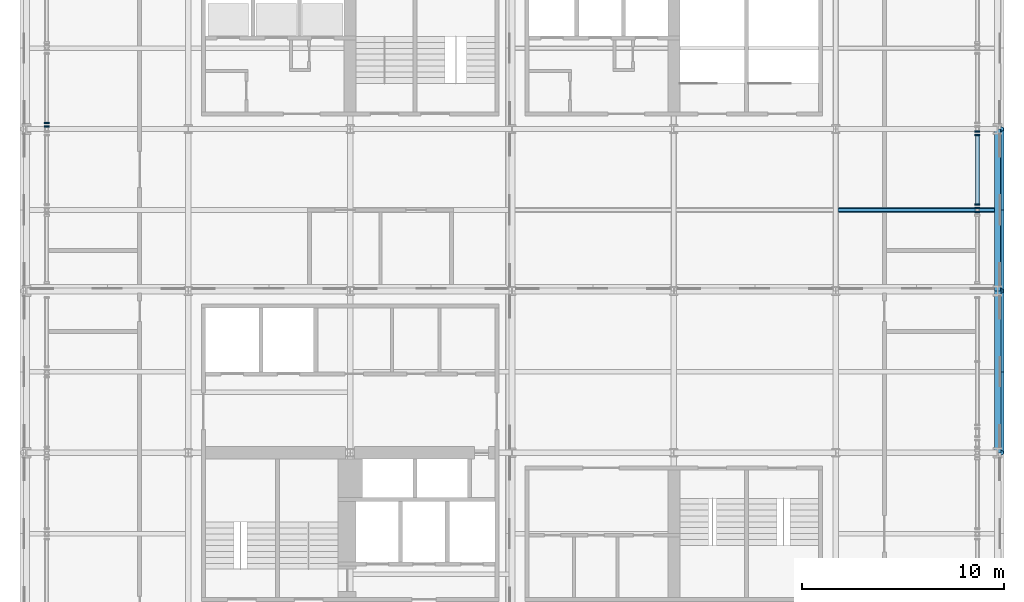
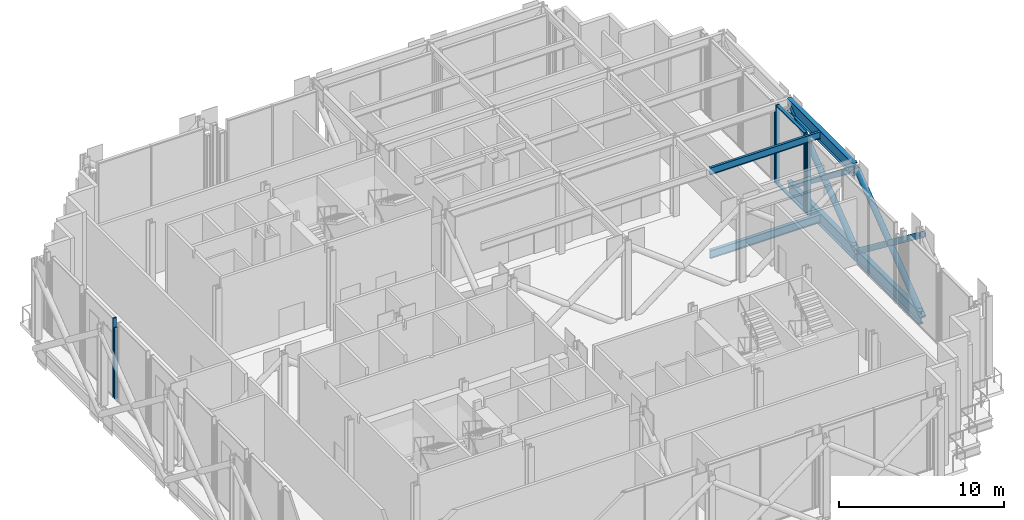
# One storey, part 5 of 25: 13 members, 5 beams, 5 elements without a shape of their own.
"""IFC4 building model written with IfcOpenShell, lengths in metres."""

from ifc_helpers import new_model, si_unit, direction, frame, origin, origin_2d, place, context, subcontext, project, spatial, rectangle, hollow_circle, i_section, extrude, material, material_profile, profile_set, type_object, element, aggregate, save


model = new_model("IFC4")

# Units and contexts
model_context = context("Model", 3, precision=1e-05, world=origin(), true_north=direction((0.0, 1.0)))
body_context = subcontext(model_context, "Body", "Model", "MODEL_VIEW")
ifc_project = project(units=[si_unit("LENGTHUNIT", "METRE"), si_unit("AREAUNIT", "SQUARE_METRE"), si_unit("VOLUMEUNIT", "CUBIC_METRE"), si_unit("PLANEANGLEUNIT", "RADIAN"), si_unit("MASSUNIT", "GRAM", prefix="KILO")], contexts=[model_context])

# Site, building, storey
site_placement = place(None, origin())
site = spatial("IfcSite", under=ifc_project, at=site_placement, CompositionType="ELEMENT")
building_placement = place(site_placement, origin())
building = spatial("IfcBuilding", under=site, at=building_placement, Name="Immortelle Media Tower", CompositionType="ELEMENT")
storey_placement = place(building_placement, frame((0.0, 0.0, 114.0)))
storey = spatial("IfcBuildingStorey", under=building, at=storey_placement, Name="L22", CompositionType="ELEMENT", Elevation=114.0)

# Members
ifc_material_1 = material(Name="Steel ASTM A500 Gr C", Category="steel")
ifc_material_profile_1 = material_profile(ifc_material_1, hollow_circle(Radius=0.202880859375, WallThickness=0.011962890625, at=origin_2d()), Name="HSS16.000x0.500 truss diagonal")
ifc_profile_set_1 = profile_set([ifc_material_profile_1], Name="Steel ASTM A500 Gr C")
member_type_1 = type_object("IfcMemberType", Name="HSS16.000x0.500 truss diagonal", PredefinedType="BRACE", material=ifc_profile_set_1)
for number, where, z_axis, x_axis, name in (
    (1, (48.113037109375, 16.0, -0.72509765625), (0.0, 0.794648909693, 0.607069279674), (-1.0, 0.0, 0.0), "Belt truss 7/C-D A"),
    (2, (48.113037109375, 16.0, 5.386474609375), (0.0, 0.794648909693, -0.607069279674), (-1.0, 0.0, 0.0), "Belt truss 7/C-D B"),
    (3, (48.113037109375, 24.0, -0.72509765625), (0.0, 0.794648909693, 0.607069279674), (-1.0, 0.0, 0.0), "Belt truss 7/D-E A"),
    (4, (48.113037109375, 24.0, 5.386474609375), (0.0, 0.794648909693, -0.607069279674), (-1.0, 0.0, 0.0), "Belt truss 7/D-E B"),
):
    element("IfcMember", number, at=place(storey_placement, frame(where, z_axis=z_axis, x_axis=x_axis)), inside=storey, type_object=member_type_1, Name=name, PredefinedType="BRACE", context=body_context, shape_type="SweptSolid", body=[
        extrude(hollow_circle(Radius=0.202880859375, WallThickness=0.011962890625, at=origin_2d()), origin(), (0.0, 0.0, 1.0), 10.0673828125),
    ])

# Curtain wall, members
ifc_material_2 = material(Name="Aluminium curtain wall system", Category="aluminium")
curtain_wall_type = type_object("IfcCurtainWallType", Name="Plant louvre wall curtain wall", PredefinedType="NOTDEFINED", material=ifc_material_2)
curtain_wall_1_placement = place(storey_placement, origin())
curtain_wall_1 = element("IfcCurtainWall", 5, at=curtain_wall_1_placement, inside=storey, type_object=curtain_wall_type, Name="Plant louvre wall L22 E 14-12", PredefinedType="NOTDEFINED")
ifc_material_3 = material(Name="Aluminium 6063-T6", Category="aluminium")
ifc_material_profile_2 = material_profile(ifc_material_3, rectangle(XDim=0.25, YDim=0.080078125, at=origin_2d()), Name="AL 80x250")
ifc_profile_set_2 = profile_set([ifc_material_profile_2], Name="Aluminium 6063-T6")
member_type_2 = type_object("IfcMemberType", Name="Plant louvre wall mullion 80 x 250", PredefinedType="MULLION", material=ifc_profile_set_2)
member_1_placement = place(storey_placement, frame((47.0, 27.907470703125, 0.0), z_axis=(0.0, 0.0, 1.0), x_axis=(-1.0, 0.0, 0.0)))
member_1 = element("IfcMember", 6, at=member_1_placement, type_object=member_type_2, Name="CW6 mullion 1", PredefinedType="MULLION", context=body_context, shape_type="SweptSolid", body=[
    extrude(rectangle(XDim=0.25, YDim=0.080078125, at=origin_2d()), origin(), (0.0, 0.0, 1.0), 5.323486328125),
])
member_2_placement = place(storey_placement, frame((47.0, 28.092529296875, 0.0), z_axis=(0.0, 0.0, 1.0), x_axis=(-1.0, 0.0, 0.0)))
member_2 = element("IfcMember", 7, at=member_2_placement, type_object=member_type_2, Name="CW6 mullion 2", PredefinedType="MULLION", context=body_context, shape_type="SweptSolid", body=[
    extrude(rectangle(XDim=0.25, YDim=0.080078125, at=origin_2d()), origin(), (0.0, 0.0, 1.0), 5.323486328125),
])
aggregate(curtain_wall_1, [member_1, member_2])

curtain_wall_2_placement = place(storey_placement, origin())
curtain_wall_2 = element("IfcCurtainWall", 8, at=curtain_wall_2_placement, inside=storey, type_object=curtain_wall_type, Name="Plant louvre wall L22 E 14-13", PredefinedType="NOTDEFINED")
member_3_placement = place(storey_placement, frame((47.0, 28.262451171875, 0.0), z_axis=(0.0, 0.0, 1.0), x_axis=(-1.0, 0.0, 0.0)))
member_3 = element("IfcMember", 9, at=member_3_placement, type_object=member_type_2, Name="CW6 mullion 1", PredefinedType="MULLION", context=body_context, shape_type="SweptSolid", body=[
    extrude(rectangle(XDim=0.25, YDim=0.080078125, at=origin_2d()), origin(), (0.0, 0.0, 1.0), 5.849609375),
])
member_4_placement = place(storey_placement, frame((47.0, 31.70556640625, 0.0), z_axis=(0.0, 0.0, 1.0), x_axis=(-1.0, 0.0, 0.0)))
member_4 = element("IfcMember", 10, at=member_4_placement, type_object=member_type_2, Name="CW6 mullion 2", PredefinedType="MULLION", context=body_context, shape_type="SweptSolid", body=[
    extrude(rectangle(XDim=0.25, YDim=0.080078125, at=origin_2d()), origin(), (0.0, 0.0, 1.0), 5.849609375),
])

# Curtain wall, member
curtain_wall_3_placement = place(storey_placement, origin())
curtain_wall_3 = element("IfcCurtainWall", 11, at=curtain_wall_3_placement, inside=storey, type_object=curtain_wall_type, Name="Plant louvre wall L22 E 14-14", PredefinedType="NOTDEFINED")
member_5_placement = place(storey_placement, frame((47.0, 31.87548828125, 0.0), z_axis=(0.0, 0.0, 1.0), x_axis=(-1.0, 0.0, 0.0)))
member_5 = element("IfcMember", 12, at=member_5_placement, type_object=member_type_2, Name="CW6 mullion 1", PredefinedType="MULLION", context=body_context, shape_type="SweptSolid", body=[
    extrude(rectangle(XDim=0.25, YDim=0.080078125, at=origin_2d()), origin(), (0.0, 0.0, 1.0), 5.237548828125),
])
aggregate(curtain_wall_3, [member_5])

curtain_wall_4_placement = place(storey_placement, origin())
curtain_wall_4 = element("IfcCurtainWall", 13, at=curtain_wall_4_placement, inside=storey, type_object=curtain_wall_type, Name="Plant louvre wall L22 W 28-6", PredefinedType="NOTDEFINED")
member_6_placement = place(storey_placement, frame((1.0, 32.29443359375, 0.0), z_axis=(0.0, 0.0, 1.0), x_axis=(1.0, 0.0, 0.0)))
member_6 = element("IfcMember", 14, at=member_6_placement, type_object=member_type_2, Name="CW6 mullion 2", PredefinedType="MULLION", context=body_context, shape_type="SweptSolid", body=[
    extrude(rectangle(XDim=0.25, YDim=0.080078125, at=origin_2d()), origin(), (0.0, 0.0, 1.0), 5.849609375),
])
aggregate(curtain_wall_4, [member_6])

curtain_wall_5_placement = place(storey_placement, origin())
curtain_wall_5 = element("IfcCurtainWall", 15, at=curtain_wall_5_placement, inside=storey, type_object=curtain_wall_type, Name="Plant louvre wall L22 W 28-7", PredefinedType="NOTDEFINED")
member_7_placement = place(storey_placement, frame((1.0, 32.12451171875, 0.0), z_axis=(0.0, 0.0, 1.0), x_axis=(1.0, 0.0, 0.0)))
member_7 = element("IfcMember", 16, at=member_7_placement, type_object=member_type_2, Name="CW6 mullion 1", PredefinedType="MULLION", context=body_context, shape_type="SweptSolid", body=[
    extrude(rectangle(XDim=0.25, YDim=0.080078125, at=origin_2d()), origin(), (0.0, 0.0, 1.0), 5.237548828125),
])
aggregate(curtain_wall_5, [member_7])

# Member
ifc_material_profile_3 = material_profile(ifc_material_3, rectangle(XDim=0.199951171875, YDim=0.080078125, at=origin_2d()), Name="AL 80x200")
ifc_profile_set_3 = profile_set([ifc_material_profile_3], Name="Aluminium 6063-T6")
member_type_3 = type_object("IfcMemberType", Name="Plant louvre wall transom 80 x 200", PredefinedType="USERDEFINED", material=ifc_profile_set_3)
member_8_placement = place(storey_placement, frame((47.0, 28.302490234375, 0.0400390625), z_axis=(0.0, 1.0, 0.0), x_axis=(-1.0, 0.0, 0.0)))
member_8 = element("IfcMember", 17, at=member_8_placement, type_object=member_type_3, Name="CW6 transom 1.1", ObjectType="TRANSOM", PredefinedType="USERDEFINED", context=body_context, shape_type="SweptSolid", body=[
    extrude(rectangle(XDim=0.199951171875, YDim=0.080078125, at=origin_2d()), origin(), (0.0, 0.0, 1.0), 3.363037109375),
])

member_9_placement = place(storey_placement, frame((47.0, 28.302490234375, 5.8095703125), z_axis=(0.0, 1.0, 0.0), x_axis=(-1.0, 0.0, 0.0)))
member_9 = element("IfcMember", 18, at=member_9_placement, type_object=member_type_3, Name="CW6 transom 1.2", ObjectType="TRANSOM", PredefinedType="USERDEFINED", context=body_context, shape_type="SweptSolid", body=[
    extrude(rectangle(XDim=0.199951171875, YDim=0.080078125, at=origin_2d()), origin(), (0.0, 0.0, 1.0), 3.363037109375),
])

aggregate(curtain_wall_2, [member_3, member_4, member_8, member_9])

# Beams
ifc_material_4 = material(Name="Steel ASTM A992 Gr 50", Category="steel")
ifc_material_profile_4 = material_profile(ifc_material_4, i_section(OverallWidth=0.1650390625, OverallDepth=0.52587890625, WebThickness=0.009033203125, FlangeThickness=0.010986328125, at=origin_2d()), Name="W21x44")
ifc_profile_set_4 = profile_set([ifc_material_profile_4], Name="Steel ASTM A992 Gr 50")
beam_type_1 = type_object("IfcBeamType", Name="W21x44 secondary beam", PredefinedType="JOIST", material=ifc_profile_set_4)
beam_1_placement = place(storey_placement, frame((40.114501953125, 28.0, 5.5869140625), z_axis=(1.0, 0.0, 0.0), x_axis=(0.0, 1.0, 0.0)))
element("IfcBeam", 19, at=beam_1_placement, inside=storey, type_object=beam_type_1, Name="Beam D-E/6-7", PredefinedType="JOIST", context=body_context, shape_type="SweptSolid", body=[
    extrude(i_section(OverallWidth=0.1650390625, OverallDepth=0.52587890625, WebThickness=0.009033203125, FlangeThickness=0.010986328125, at=origin_2d()), origin(), (0.0, 0.0, 1.0), 7.73193359375),
])
ifc_material_profile_5 = material_profile(ifc_material_4, i_section(OverallWidth=0.22802734375, OverallDepth=0.60205078125, WebThickness=0.010986328125, FlangeThickness=0.014892578125, at=origin_2d()), Name="W24x68")
ifc_profile_set_5 = profile_set([ifc_material_profile_5], Name="Steel ASTM A992 Gr 50")
beam_type_2 = type_object("IfcBeamType", Name="W24x68 secondary beam", PredefinedType="JOIST", material=ifc_profile_set_5)
beam_2_placement = place(storey_placement, frame((40.133544921875, 28.0, -0.551025390625), z_axis=(1.0, 0.0, 0.0), x_axis=(0.0, 1.0, 0.0)))
element("IfcBeam", 20, at=beam_2_placement, inside=storey, type_object=beam_type_2, Name="Beam D-E/6-7", PredefinedType="JOIST", context=body_context, shape_type="SweptSolid", body=[
    extrude(i_section(OverallWidth=0.22802734375, OverallDepth=0.60205078125, WebThickness=0.010986328125, FlangeThickness=0.014892578125, at=origin_2d()), origin(), (0.0, 0.0, 1.0), 7.71142578125),
])
ifc_material_profile_6 = material_profile(ifc_material_4, i_section(OverallWidth=0.306884765625, OverallDepth=0.927001953125, WebThickness=0.01904296875, FlangeThickness=0.031982421875, at=origin_2d()), Name="W36x194")
ifc_profile_set_6 = profile_set([ifc_material_profile_6], Name="Steel ASTM A992 Gr 50")
beam_type_3 = type_object("IfcBeamType", Name="W36x194 perimeter girder", PredefinedType="SPANDREL", material=ifc_profile_set_6)
beam_3_placement = place(storey_placement, frame((48.0, 24.0, 5.386474609375), z_axis=(0.0, 1.0, 0.0), x_axis=(-1.0, 0.0, 0.0)))
element("IfcBeam", 21, at=beam_3_placement, inside=storey, type_object=beam_type_3, Name="Girder 7/D-E", PredefinedType="SPANDREL", context=body_context, shape_type="SweptSolid", body=[
    extrude(i_section(OverallWidth=0.306884765625, OverallDepth=0.927001953125, WebThickness=0.01904296875, FlangeThickness=0.031982421875, at=origin_2d()), origin(), (0.0, 0.0, 1.0), 8.0),
])
ifc_material_profile_7 = material_profile(ifc_material_4, i_section(OverallWidth=0.31005859375, OverallDepth=0.949951171875, WebThickness=0.02392578125, FlangeThickness=0.0439453125, at=origin_2d()), Name="W36x256")
ifc_profile_set_7 = profile_set([ifc_material_profile_7], Name="Steel ASTM A992 Gr 50")
beam_type_4 = type_object("IfcBeamType", Name="W36x256 perimeter girder", PredefinedType="SPANDREL", material=ifc_profile_set_7)
for number, where, z_axis, x_axis, name in (
    (22, (48.0, 16.0, -0.72509765625), (0.0, 1.0, 0.0), (-1.0, 0.0, 0.0), "Girder 7/C-D"),
    (23, (48.0, 24.0, -0.72509765625), (0.0, 1.0, 0.0), (-1.0, 0.0, 0.0), "Girder 7/D-E"),
):
    element("IfcBeam", number, at=place(storey_placement, frame(where, z_axis=z_axis, x_axis=x_axis)), inside=storey, type_object=beam_type_4, Name=name, PredefinedType="SPANDREL", context=body_context, shape_type="SweptSolid", body=[
        extrude(i_section(OverallWidth=0.31005859375, OverallDepth=0.949951171875, WebThickness=0.02392578125, FlangeThickness=0.0439453125, at=origin_2d()), origin(), (0.0, 0.0, 1.0), 8.0),
    ])

save(model, "model.ifc")
